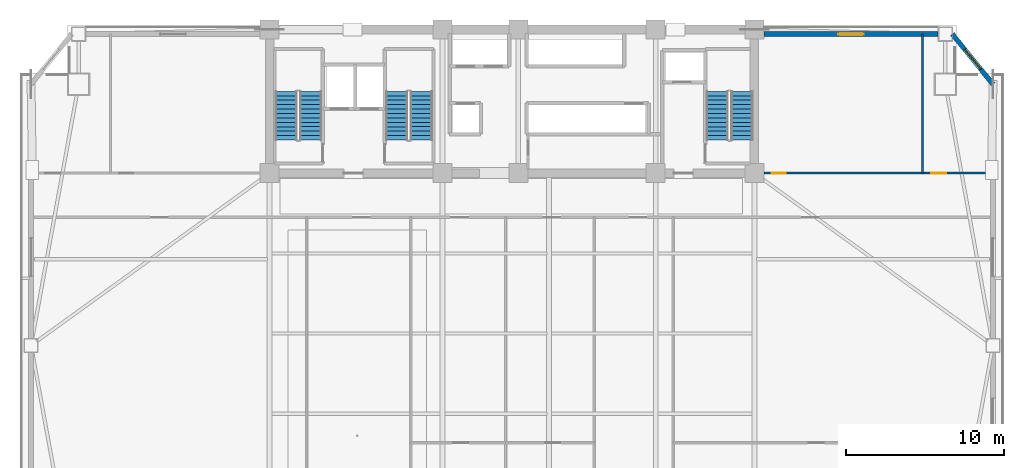
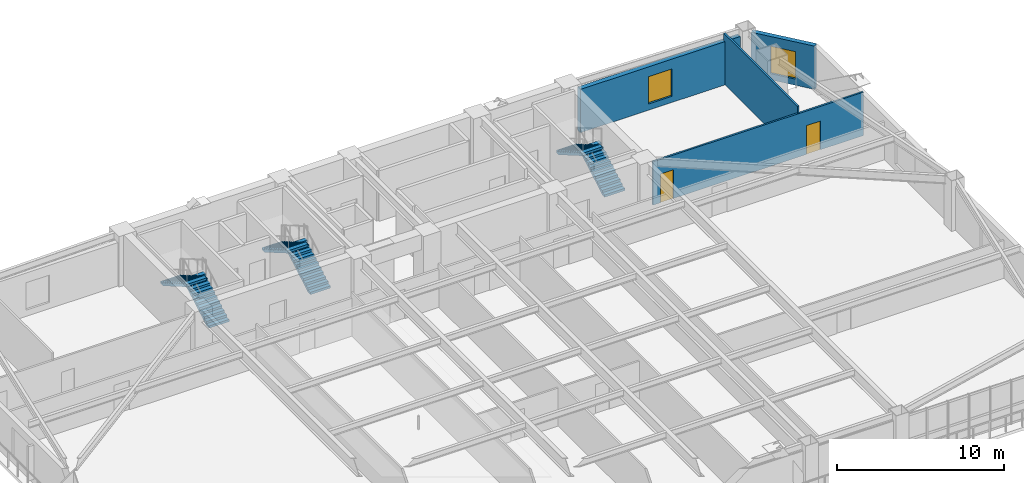
# One storey, part 10 of 15: 6 stair flights, 4 walls, 2 doors, 2 windows, 4 openings, 3 elements without a shape of their own.
"""IFC4 building model written with IfcOpenShell, lengths in metres."""

from ifc_helpers import new_model, si_unit, direction, frame, frame_2d, origin, place, context, subcontext, project, spatial, polyline, rectangle, outline, extrude, source, transform, mapped, material, layer, layer_set, type_object, element, fill, aggregate, save


model = new_model("IFC4")

# Units and contexts
model_context = context("Model", 3, precision=1e-05, world=origin(), true_north=direction((0.0, 1.0)))
body_context = subcontext(model_context, "Body", "Model", "MODEL_VIEW")
ifc_project = project(units=[si_unit("LENGTHUNIT", "METRE"), si_unit("AREAUNIT", "SQUARE_METRE"), si_unit("VOLUMEUNIT", "CUBIC_METRE"), si_unit("PLANEANGLEUNIT", "RADIAN"), si_unit("MASSUNIT", "GRAM", prefix="KILO")], contexts=[model_context])

# Site, building, storey
site_placement = place(None, origin())
site = spatial("IfcSite", under=ifc_project, at=site_placement, CompositionType="ELEMENT")
building_placement = place(site_placement, origin())
building = spatial("IfcBuilding", under=site, at=building_placement, Name="Giltprow Tower", CompositionType="ELEMENT")
storey_placement = place(building_placement, frame((0.0, 0.0, 111.39990234375)))
storey = spatial("IfcBuildingStorey", under=building, at=storey_placement, Name="L27", CompositionType="ELEMENT", Elevation=111.39990234375)

# Wall, opening, window
ifc_material_1 = material(Name="Precast concrete C40", Category="concrete")
ifc_layer_1 = layer(ifc_material_1, 0.300048828125, Name="Precast concrete C40")
ifc_layer_set_1 = layer_set([ifc_layer_1], Name="Precast concrete C40")
wall_type_1 = type_object("IfcWallType", Name="EW-NOTCH-CHAMFER-300", PredefinedType="SOLIDWALL", material=ifc_layer_set_1)
wall_1_placement = place(storey_placement, frame((65.656005859375, 43.0830078125, 0.0), z_axis=(0.0, 0.0, 1.0), x_axis=(-0.629663274091, 0.776868174957, 0.0)))
wall_1 = element("IfcWall", 1, at=wall_1_placement, inside=storey, type_object=wall_type_1, Name="L27 Corner Notch Wall NE", PredefinedType="SOLIDWALL", context=body_context, shape_type="SweptSolid", body=[
    extrude(rectangle(XDim=4.07666015625, YDim=0.300048828125, at=frame_2d((2.038330078125, 0.0))), origin(), (0.0, 0.0, 1.0), 3.16015625),
])
opening_1_placement = place(wall_1_placement, frame((1.238037109375, 0.0, 0.449951171875)))
opening_1 = element("IfcOpeningElement", 2, at=opening_1_placement, cuts=wall_1, Name="Opening WN17", PredefinedType="OPENING", context=body_context, shape_type="SweptSolid", body=[
    extrude(rectangle(XDim=1.60009765625, YDim=2.0, at=frame_2d((0.800048828125, 1.0))), frame((0.0, 0.159912109375, 0.0), z_axis=(0.0, -1.0, 0.0), x_axis=(1.0, 0.0, 0.0)), (0.0, 0.0, 1.0), 0.320068359375),
])
ifc_material_2 = material(Name="Insulated glass", Category="glass")
window_type = type_object("IfcWindowType", Name="WN-COR-1600x2000", PartitioningType="SINGLE_PANEL", PredefinedType="WINDOW", material=ifc_material_2)
shared_shape_1 = source(origin(), body_context, "Body", "SweptSolid", [
    extrude(rectangle(XDim=1.60009765625, YDim=2.0, at=frame_2d((0.800048828125, 1.0))), frame((0.0, 0.030029296875, 0.0), z_axis=(0.0, -1.0, 0.0), x_axis=(1.0, 0.0, 0.0)), (0.0, 0.0, 1.0), 0.06005859375),
])
window_1_placement = place(opening_1_placement, origin())
window_1 = element("IfcWindow", 3, at=window_1_placement, inside=storey, type_object=window_type, Name="L27 Corner Notch Window NE", OverallHeight=2.0, OverallWidth=1.60009765625, PartitioningType="SINGLE_PANEL", PredefinedType="WINDOW", context=body_context, shape_type="MappedRepresentation", body=[
    mapped(shared_shape_1, transform((0.0, 0.0, 0.0), x_axis=(1.0, 0.0, 0.0), y_axis=(0.0, 1.0, 0.0), z_axis=(0.0, 0.0, 1.0), scale=1.0)),
])
fill(opening_1, window_1)

ifc_layer_2 = layer(ifc_material_1, 0.320068359375, Name="Precast concrete C40")
ifc_layer_set_2 = layer_set([ifc_layer_2], Name="Precast concrete C40")
wall_type_2 = type_object("IfcWallType", Name="EW-TOW-STONE-320", PredefinedType="SOLIDWALL", material=ifc_layer_set_2)
wall_2_placement = place(storey_placement, frame((51.14990234375, 46.25, 0.0), z_axis=(0.0, 0.0, 1.0), x_axis=(1.0, 0.0, 0.0)))
wall_2 = element("IfcWall", 4, at=wall_2_placement, inside=storey, type_object=wall_type_2, Name="L27 North-East Wing Wall", PredefinedType="SOLIDWALL", context=body_context, shape_type="SweptSolid", body=[
    extrude(rectangle(XDim=11.0390625, YDim=0.320068359375, at=frame_2d((5.51953125, 0.0))), origin(), (0.0, 0.0, 1.0), 3.16015625),
])
opening_2_placement = place(wall_2_placement, frame((4.719970703125, 0.0, 0.449951171875)))
opening_2 = element("IfcOpeningElement", 5, at=opening_2_placement, cuts=wall_2, Name="Opening WN17", PredefinedType="OPENING", context=body_context, shape_type="SweptSolid", body=[
    extrude(rectangle(XDim=1.60009765625, YDim=2.0, at=frame_2d((0.800048828125, 1.0))), frame((0.0, 0.169921875, 0.0), z_axis=(0.0, -1.0, 0.0), x_axis=(1.0, 0.0, 0.0)), (0.0, 0.0, 1.0), 0.340087890625),
])
window_2_placement = place(opening_2_placement, origin())
window_2 = element("IfcWindow", 6, at=window_2_placement, inside=storey, type_object=window_type, Name="L27 North-East Window", OverallHeight=2.0, OverallWidth=1.60009765625, PartitioningType="SINGLE_PANEL", PredefinedType="WINDOW", context=body_context, shape_type="MappedRepresentation", body=[
    mapped(shared_shape_1, transform((0.0, 0.0, 0.0), x_axis=(1.0, 0.0, 0.0), y_axis=(0.0, 1.0, 0.0), z_axis=(0.0, 0.0, 1.0), scale=1.0)),
])
fill(opening_2, window_2)

# Wall, openings, doors
ifc_material_3 = material(Name="Concrete C30", Category="concrete")
ifc_layer_3 = layer(ifc_material_3, 0.1298828125, Name="Concrete C30")
ifc_layer_set_3 = layer_set([ifc_layer_3], Name="Concrete C30")
wall_type_3 = type_object("IfcWallType", Name="IW-WET-130", PredefinedType="PARTITIONING", material=ifc_layer_set_3)
wall_3_placement = place(storey_placement, frame((51.14990234375, 37.449951171875, 0.0), z_axis=(0.0, 0.0, 1.0), x_axis=(1.0, 0.0, 0.0)))
wall_3 = element("IfcWall", 7, at=wall_3_placement, inside=storey, type_object=wall_type_3, Name="L27 NE Wing South Wall", PredefinedType="PARTITIONING", context=body_context, shape_type="SweptSolid", body=[
    extrude(rectangle(XDim=14.506103515625, YDim=0.1298828125, at=frame_2d((7.2529296875, 0.0))), origin(), (0.0, 0.0, 1.0), 3.1650390625),
])
opening_3_placement = place(wall_3_placement, frame((0.5, 0.0, 0.0)))
opening_3 = element("IfcOpeningElement", 8, at=opening_3_placement, cuts=wall_3, Name="Opening ID15", PredefinedType="OPENING", context=body_context, shape_type="SweptSolid", body=[
    extrude(rectangle(XDim=0.89990234375, YDim=2.10009765625, at=frame_2d((0.449951171875, 1.050048828125))), frame((0.0, 0.074951171875, 0.0), z_axis=(0.0, -1.0, 0.0), x_axis=(1.0, 0.0, 0.0)), (0.0, 0.0, 1.0), 0.14990234375),
])
opening_4_placement = place(wall_3_placement, frame((10.593994140625, 0.0, 0.0)))
opening_4 = element("IfcOpeningElement", 9, at=opening_4_placement, cuts=wall_3, Name="Opening ID11", PredefinedType="OPENING", context=body_context, shape_type="SweptSolid", body=[
    extrude(rectangle(XDim=0.949951171875, YDim=2.10009765625, at=frame_2d((0.47509765625, 1.050048828125))), frame((0.0, 0.074951171875, 0.0), z_axis=(0.0, -1.0, 0.0), x_axis=(1.0, 0.0, 0.0)), (0.0, 0.0, 1.0), 0.14990234375),
])
ifc_material_4 = material(Name="Engineered timber", Category="wood")
door_type_1 = type_object("IfcDoorType", Name="DR-WC-900", OperationType="SINGLE_SWING_LEFT", PredefinedType="DOOR", material=ifc_material_4)
shared_shape_2 = source(origin(), body_context, "Body", "SweptSolid", [
    extrude(rectangle(XDim=0.89990234375, YDim=2.10009765625, at=frame_2d((0.449951171875, 1.050048828125))), frame((0.0, 0.02490234375, 0.0), z_axis=(0.0, -1.0, 0.0), x_axis=(1.0, 0.0, 0.0)), (0.0, 0.0, 1.0), 0.050048828125),
])
door_1_placement = place(opening_3_placement, origin())
door_1 = element("IfcDoor", 10, at=door_1_placement, inside=storey, type_object=door_type_1, Name="L27 East Wing Washroom Door", OperationType="SINGLE_SWING_RIGHT", OverallHeight=2.10009765625, OverallWidth=0.89990234375, PredefinedType="DOOR", context=body_context, shape_type="MappedRepresentation", body=[
    mapped(shared_shape_2, transform((0.0, 0.0, 0.0), x_axis=(1.0, 0.0, 0.0), y_axis=(0.0, 1.0, 0.0), z_axis=(0.0, 0.0, 1.0), scale=1.0)),
])
fill(opening_3, door_1)
door_type_2 = type_object("IfcDoorType", Name="DR-ROOM-950", OperationType="SINGLE_SWING_RIGHT", PredefinedType="DOOR", material=ifc_material_4)
shared_shape_3 = source(origin(), body_context, "Body", "SweptSolid", [
    extrude(rectangle(XDim=0.949951171875, YDim=2.10009765625, at=frame_2d((0.47509765625, 1.050048828125))), frame((0.0, 0.02490234375, 0.0), z_axis=(0.0, -1.0, 0.0), x_axis=(1.0, 0.0, 0.0)), (0.0, 0.0, 1.0), 0.050048828125),
])
door_2_placement = place(opening_4_placement, origin())
door_2 = element("IfcDoor", 11, at=door_2_placement, inside=storey, type_object=door_type_2, Name="L27 East Tenant Archive Store Door", OperationType="SINGLE_SWING_LEFT", OverallHeight=2.10009765625, OverallWidth=0.949951171875, PredefinedType="DOOR", context=body_context, shape_type="MappedRepresentation", body=[
    mapped(shared_shape_3, transform((0.0, 0.0, 0.0), x_axis=(1.0, 0.0, 0.0), y_axis=(0.0, 1.0, 0.0), z_axis=(0.0, 0.0, 1.0), scale=1.0)),
])
fill(opening_4, door_2)

# Wall
wall_4_placement = place(storey_placement, frame((61.194091796875, 37.449951171875, 0.0), z_axis=(0.0, 0.0, 1.0), x_axis=(0.0, 1.0, 0.0)))
element("IfcWall", 12, at=wall_4_placement, inside=storey, type_object=wall_type_3, Name="L27 NE Wing Divider", PredefinedType="PARTITIONING", context=body_context, shape_type="SweptSolid", body=[
    extrude(rectangle(XDim=8.800048828125, YDim=0.1298828125, at=frame_2d((4.39990234375, 0.0))), origin(), (0.0, 0.0, 1.0), 3.68017578125),
])

# Stair, stair flights
ifc_material_5 = material(Name="Concrete C40", Category="concrete")
stair_type_1 = type_object("IfcStairType", Name="STR-ST-1", PredefinedType="HALF_TURN_STAIR", material=ifc_material_5)
stair_1_placement = place(storey_placement, origin())
stair_1 = element("IfcStair", 13, at=stair_1_placement, inside=storey, type_object=stair_type_1, Name="L27 Core Exit Stair ST-1", PredefinedType="HALF_TURN_STAIR")
stair_flight_type_1 = type_object("IfcStairFlightType", Name="SFL-ST-1", PredefinedType="STRAIGHT", material=ifc_material_5)
stair_flight_1_placement = place(storey_placement, frame((22.4599609375, 39.550048828125, 0.0), z_axis=(0.0, 0.0, 1.0), x_axis=(0.0, 1.0, 0.0)))
stair_flight_1 = element("IfcStairFlight", 14, at=stair_flight_1_placement, type_object=stair_flight_type_1, Name="ST-1 flight 1", NumberOfRisers=12, NumberOfTreads=11, PredefinedType="STRAIGHT", RiserHeight=0.1625, TreadLength=0.28, context=body_context, shape_type="SweptSolid", body=[
    extrude(outline(polyline([(0.0, 0.0), (0.0, 0.16259765625), (0.280029296875, 0.16259765625), (0.280029296875, 0.324951171875), (0.56005859375, 0.324951171875), (0.56005859375, 0.487548828125), (0.840087890625, 0.487548828125), (0.840087890625, 0.64990234375), (1.1201171875, 0.64990234375), (1.1201171875, 0.8125), (1.39990234375, 0.8125), (1.39990234375, 0.97509765625), (1.679931640625, 0.97509765625), (1.679931640625, 1.137451171875), (1.9599609375, 1.137451171875), (1.9599609375, 1.300048828125), (2.239990234375, 1.300048828125), (2.239990234375, 1.46240234375), (2.52001953125, 1.46240234375), (2.52001953125, 1.625), (2.800048828125, 1.625), (2.800048828125, 1.78759765625), (3.080078125, 1.78759765625), (3.080078125, 1.949951171875), (3.080078125, 1.6142578125), (0.298583984375, 0.0), (0.0, 0.0)])), frame((0.0, 0.699951171875, 0.0), z_axis=(0.0, -1.0, 0.0), x_axis=(1.0, 0.0, 0.0)), (0.0, 0.0, 1.0), 1.39990234375),
])
stair_flight_2_placement = place(storey_placement, frame((20.89990234375, 42.6298828125, 1.9501953125), z_axis=(0.0, 0.0, 1.0), x_axis=(0.0, -1.0, 0.0)))
stair_flight_2 = element("IfcStairFlight", 15, at=stair_flight_2_placement, type_object=stair_flight_type_1, Name="ST-1 flight 2", NumberOfRisers=12, NumberOfTreads=11, PredefinedType="STRAIGHT", RiserHeight=0.1625, TreadLength=0.28, context=body_context, shape_type="SweptSolid", body=[
    extrude(outline(polyline([(0.0, 0.0), (0.0, 0.16259765625), (0.280029296875, 0.16259765625), (0.280029296875, 0.324951171875), (0.56005859375, 0.324951171875), (0.56005859375, 0.487548828125), (0.840087890625, 0.487548828125), (0.840087890625, 0.64990234375), (1.1201171875, 0.64990234375), (1.1201171875, 0.8125), (1.39990234375, 0.8125), (1.39990234375, 0.97509765625), (1.679931640625, 0.97509765625), (1.679931640625, 1.137451171875), (1.9599609375, 1.137451171875), (1.9599609375, 1.300048828125), (2.239990234375, 1.300048828125), (2.239990234375, 1.46240234375), (2.52001953125, 1.46240234375), (2.52001953125, 1.625), (2.800048828125, 1.625), (2.800048828125, 1.78759765625), (3.080078125, 1.78759765625), (3.080078125, 1.949951171875), (3.080078125, 1.6142578125), (0.298583984375, 0.0), (0.0, 0.0)])), frame((0.0, 0.699951171875, 0.0), z_axis=(0.0, -1.0, 0.0), x_axis=(1.0, 0.0, 0.0)), (0.0, 0.0, 1.0), 1.39990234375),
])
aggregate(stair_1, [stair_flight_1, stair_flight_2])

stair_type_2 = type_object("IfcStairType", Name="STR-ST-2", PredefinedType="HALF_TURN_STAIR", material=ifc_material_5)
stair_2_placement = place(storey_placement, origin())
stair_2 = element("IfcStair", 16, at=stair_2_placement, inside=storey, type_object=stair_type_2, Name="L27 Core Exit Stair ST-2", PredefinedType="HALF_TURN_STAIR")
stair_flight_type_2 = type_object("IfcStairFlightType", Name="SFL-ST-2", PredefinedType="STRAIGHT", material=ifc_material_5)
stair_flight_3_placement = place(storey_placement, frame((29.4599609375, 39.550048828125, 0.0), z_axis=(0.0, 0.0, 1.0), x_axis=(0.0, 1.0, 0.0)))
stair_flight_3 = element("IfcStairFlight", 17, at=stair_flight_3_placement, type_object=stair_flight_type_2, Name="ST-2 flight 1", NumberOfRisers=12, NumberOfTreads=11, PredefinedType="STRAIGHT", RiserHeight=0.1625, TreadLength=0.28, context=body_context, shape_type="SweptSolid", body=[
    extrude(outline(polyline([(0.0, 0.0), (0.0, 0.16259765625), (0.280029296875, 0.16259765625), (0.280029296875, 0.324951171875), (0.56005859375, 0.324951171875), (0.56005859375, 0.487548828125), (0.840087890625, 0.487548828125), (0.840087890625, 0.64990234375), (1.1201171875, 0.64990234375), (1.1201171875, 0.8125), (1.39990234375, 0.8125), (1.39990234375, 0.97509765625), (1.679931640625, 0.97509765625), (1.679931640625, 1.137451171875), (1.9599609375, 1.137451171875), (1.9599609375, 1.300048828125), (2.239990234375, 1.300048828125), (2.239990234375, 1.46240234375), (2.52001953125, 1.46240234375), (2.52001953125, 1.625), (2.800048828125, 1.625), (2.800048828125, 1.78759765625), (3.080078125, 1.78759765625), (3.080078125, 1.949951171875), (3.080078125, 1.6142578125), (0.298583984375, 0.0), (0.0, 0.0)])), frame((0.0, 0.699951171875, 0.0), z_axis=(0.0, -1.0, 0.0), x_axis=(1.0, 0.0, 0.0)), (0.0, 0.0, 1.0), 1.39990234375),
])
stair_flight_4_placement = place(storey_placement, frame((27.89990234375, 42.6298828125, 1.9501953125), z_axis=(0.0, 0.0, 1.0), x_axis=(0.0, -1.0, 0.0)))
stair_flight_4 = element("IfcStairFlight", 18, at=stair_flight_4_placement, type_object=stair_flight_type_2, Name="ST-2 flight 2", NumberOfRisers=12, NumberOfTreads=11, PredefinedType="STRAIGHT", RiserHeight=0.1625, TreadLength=0.28, context=body_context, shape_type="SweptSolid", body=[
    extrude(outline(polyline([(0.0, 0.0), (0.0, 0.16259765625), (0.280029296875, 0.16259765625), (0.280029296875, 0.324951171875), (0.56005859375, 0.324951171875), (0.56005859375, 0.487548828125), (0.840087890625, 0.487548828125), (0.840087890625, 0.64990234375), (1.1201171875, 0.64990234375), (1.1201171875, 0.8125), (1.39990234375, 0.8125), (1.39990234375, 0.97509765625), (1.679931640625, 0.97509765625), (1.679931640625, 1.137451171875), (1.9599609375, 1.137451171875), (1.9599609375, 1.300048828125), (2.239990234375, 1.300048828125), (2.239990234375, 1.46240234375), (2.52001953125, 1.46240234375), (2.52001953125, 1.625), (2.800048828125, 1.625), (2.800048828125, 1.78759765625), (3.080078125, 1.78759765625), (3.080078125, 1.949951171875), (3.080078125, 1.6142578125), (0.298583984375, 0.0), (0.0, 0.0)])), frame((0.0, 0.699951171875, 0.0), z_axis=(0.0, -1.0, 0.0), x_axis=(1.0, 0.0, 0.0)), (0.0, 0.0, 1.0), 1.39990234375),
])
aggregate(stair_2, [stair_flight_3, stair_flight_4])

stair_type_3 = type_object("IfcStairType", Name="STR-ST-3", PredefinedType="HALF_TURN_STAIR", material=ifc_material_5)
stair_3_placement = place(storey_placement, origin())
stair_3 = element("IfcStair", 19, at=stair_3_placement, inside=storey, type_object=stair_type_3, Name="L27 Core Exit Stair ST-3", PredefinedType="HALF_TURN_STAIR")
stair_flight_type_3 = type_object("IfcStairFlightType", Name="SFL-ST-3", PredefinedType="STRAIGHT", material=ifc_material_5)
stair_flight_5_placement = place(storey_placement, frame((49.760009765625, 39.550048828125, 0.0), z_axis=(0.0, 0.0, 1.0), x_axis=(0.0, 1.0, 0.0)))
stair_flight_5 = element("IfcStairFlight", 20, at=stair_flight_5_placement, type_object=stair_flight_type_3, Name="ST-3 flight 1", NumberOfRisers=12, NumberOfTreads=11, PredefinedType="STRAIGHT", RiserHeight=0.1625, TreadLength=0.28, context=body_context, shape_type="SweptSolid", body=[
    extrude(outline(polyline([(0.0, 0.0), (0.0, 0.16259765625), (0.280029296875, 0.16259765625), (0.280029296875, 0.324951171875), (0.56005859375, 0.324951171875), (0.56005859375, 0.487548828125), (0.840087890625, 0.487548828125), (0.840087890625, 0.64990234375), (1.1201171875, 0.64990234375), (1.1201171875, 0.8125), (1.39990234375, 0.8125), (1.39990234375, 0.97509765625), (1.679931640625, 0.97509765625), (1.679931640625, 1.137451171875), (1.9599609375, 1.137451171875), (1.9599609375, 1.300048828125), (2.239990234375, 1.300048828125), (2.239990234375, 1.46240234375), (2.52001953125, 1.46240234375), (2.52001953125, 1.625), (2.800048828125, 1.625), (2.800048828125, 1.78759765625), (3.080078125, 1.78759765625), (3.080078125, 1.949951171875), (3.080078125, 1.6142578125), (0.298583984375, 0.0), (0.0, 0.0)])), frame((0.0, 0.699951171875, 0.0), z_axis=(0.0, -1.0, 0.0), x_axis=(1.0, 0.0, 0.0)), (0.0, 0.0, 1.0), 1.39990234375),
])
stair_flight_6_placement = place(storey_placement, frame((48.199951171875, 42.6298828125, 1.9501953125), z_axis=(0.0, 0.0, 1.0), x_axis=(0.0, -1.0, 0.0)))
stair_flight_6 = element("IfcStairFlight", 21, at=stair_flight_6_placement, type_object=stair_flight_type_3, Name="ST-3 flight 2", NumberOfRisers=12, NumberOfTreads=11, PredefinedType="STRAIGHT", RiserHeight=0.1625, TreadLength=0.28, context=body_context, shape_type="SweptSolid", body=[
    extrude(outline(polyline([(0.0, 0.0), (0.0, 0.16259765625), (0.280029296875, 0.16259765625), (0.280029296875, 0.324951171875), (0.56005859375, 0.324951171875), (0.56005859375, 0.487548828125), (0.840087890625, 0.487548828125), (0.840087890625, 0.64990234375), (1.1201171875, 0.64990234375), (1.1201171875, 0.8125), (1.39990234375, 0.8125), (1.39990234375, 0.97509765625), (1.679931640625, 0.97509765625), (1.679931640625, 1.137451171875), (1.9599609375, 1.137451171875), (1.9599609375, 1.300048828125), (2.239990234375, 1.300048828125), (2.239990234375, 1.46240234375), (2.52001953125, 1.46240234375), (2.52001953125, 1.625), (2.800048828125, 1.625), (2.800048828125, 1.78759765625), (3.080078125, 1.78759765625), (3.080078125, 1.949951171875), (3.080078125, 1.6142578125), (0.298583984375, 0.0), (0.0, 0.0)])), frame((0.0, 0.699951171875, 0.0), z_axis=(0.0, -1.0, 0.0), x_axis=(1.0, 0.0, 0.0)), (0.0, 0.0, 1.0), 1.39990234375),
])
aggregate(stair_3, [stair_flight_5, stair_flight_6])

save(model, "model.ifc")
